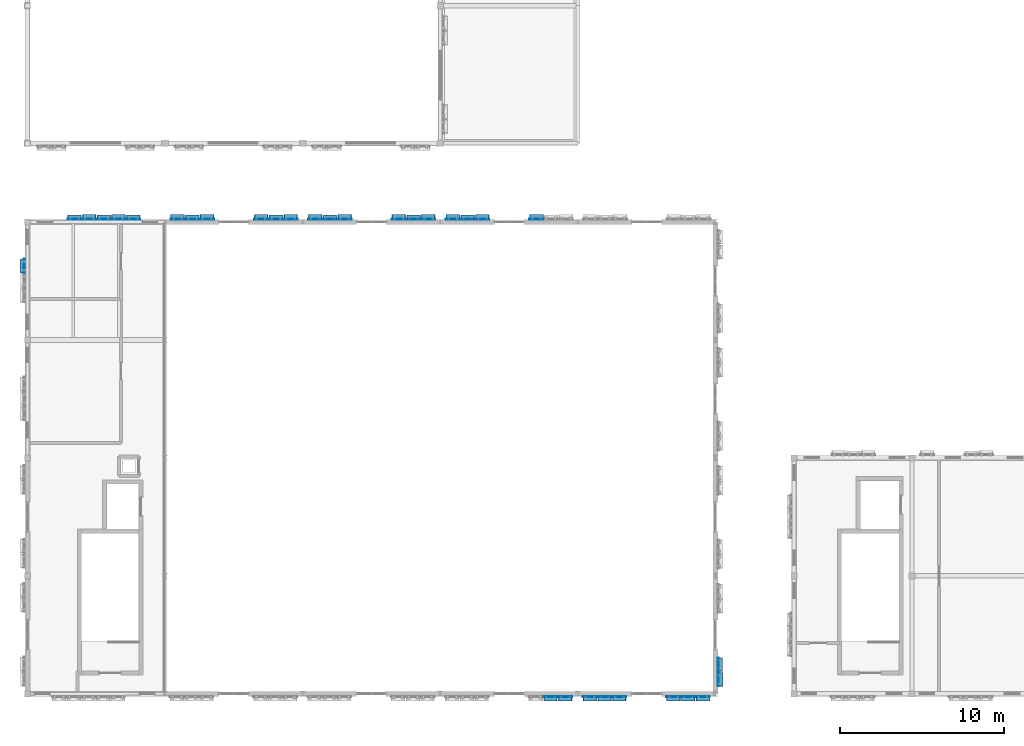
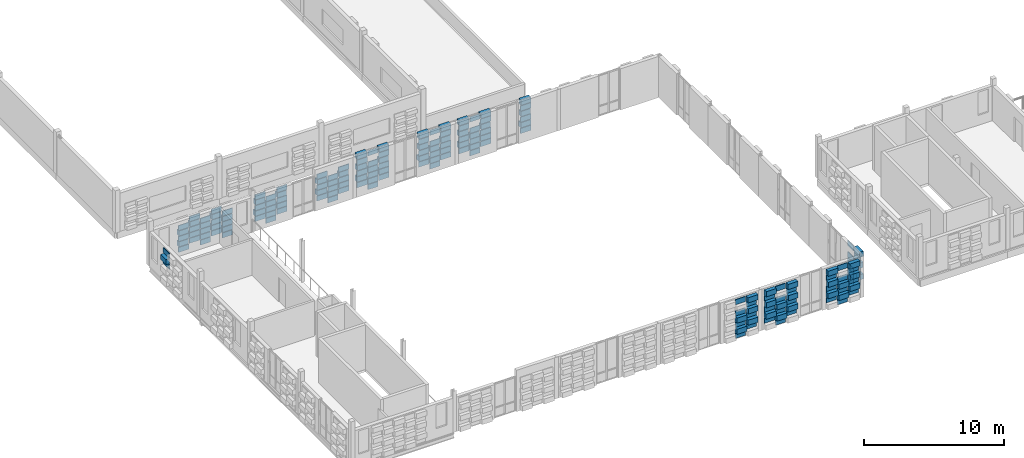
# One storey, part 28 of 57: 178 plates.
"""IFC4 building model written with IfcOpenShell, lengths in metres."""

from ifc_helpers import new_model, si_unit, direction, frame, origin, origin_2d, place, context, subcontext, project, spatial, rectangle, extrude, material, layer, layer_set, type_object, element, save


model = new_model("IFC4")

# Units and contexts
model_context = context("Model", 3, precision=1e-05, world=origin(), true_north=direction((0.0, 1.0)))
body_context = subcontext(model_context, "Body", "Model", "MODEL_VIEW")
ifc_project = project(units=[si_unit("LENGTHUNIT", "METRE"), si_unit("AREAUNIT", "SQUARE_METRE"), si_unit("VOLUMEUNIT", "CUBIC_METRE"), si_unit("PLANEANGLEUNIT", "RADIAN"), si_unit("MASSUNIT", "GRAM", prefix="KILO")], contexts=[model_context])

# Site, building, storey
site_placement = place(None, origin())
site = spatial("IfcSite", under=ifc_project, at=site_placement, CompositionType="ELEMENT")
building_placement = place(site_placement, origin())
building = spatial("IfcBuilding", under=site, at=building_placement, Name="Kahlenmark Community Centre", CompositionType="ELEMENT")
storey_placement = place(building_placement, frame((0.0, 0.0, 13.800048828125)))
storey = spatial("IfcBuildingStorey", under=building, at=storey_placement, Name="L03", CompositionType="ELEMENT", Elevation=13.800048828125)

# Plates
ifc_material_1 = material(Name="Extruded warm terracotta recessed weave tile", Category="masonry")
ifc_layer_1 = layer(ifc_material_1, 0.06005859375)
ifc_layer_set_1 = layer_set([ifc_layer_1], Name="Extruded warm terracotta recessed weave tile")
plate_type_1 = type_object("IfcPlateType", Name="PLT-TC-TC-R10-840X60X435", PredefinedType="SHEET", material=ifc_layer_set_1)
for number, where, z_axis, x_axis, name in (
    (1, (10.469970703125, 37.780029296875, 0.099853515625), (0.0, 0.0, 1.0), (-1.0, 0.0, 0.0), "Basketweave terracotta cassette 3568"),
    (2, (10.469970703125, 37.780029296875, 1.0498046875), (0.0, 0.0, 1.0), (-1.0, 0.0, 0.0), "Basketweave terracotta cassette 3570"),
    (3, (10.469970703125, 37.780029296875, 2.0), (0.0, 0.0, 1.0), (-1.0, 0.0, 0.0), "Basketweave terracotta cassette 3572"),
    (4, (8.669921875, 37.780029296875, 0.099853515625), (0.0, 0.0, 1.0), (-1.0, 0.0, 0.0), "Basketweave terracotta cassette 3580"),
    (5, (8.669921875, 37.780029296875, 1.0498046875), (0.0, 0.0, 1.0), (-1.0, 0.0, 0.0), "Basketweave terracotta cassette 3582"),
    (6, (8.669921875, 37.780029296875, 2.0), (0.0, 0.0, 1.0), (-1.0, 0.0, 0.0), "Basketweave terracotta cassette 3584"),
    (7, (6.8701171875, 37.780029296875, 0.099853515625), (0.0, 0.0, 1.0), (-1.0, 0.0, 0.0), "Basketweave terracotta cassette 3592"),
    (8, (6.8701171875, 37.780029296875, 1.0498046875), (0.0, 0.0, 1.0), (-1.0, 0.0, 0.0), "Basketweave terracotta cassette 3594"),
    (9, (6.8701171875, 37.780029296875, 2.0), (0.0, 0.0, 1.0), (-1.0, 0.0, 0.0), "Basketweave terracotta cassette 3596"),
    (10, (19.169921875, 37.780029296875, 0.099853515625), (0.0, 0.0, 1.0), (-1.0, 0.0, 0.0), "Basketweave terracotta cassette 3604"),
    (11, (19.169921875, 37.780029296875, 1.0498046875), (0.0, 0.0, 1.0), (-1.0, 0.0, 0.0), "Basketweave terracotta cassette 3606"),
    (12, (19.169921875, 37.780029296875, 2.0), (0.0, 0.0, 1.0), (-1.0, 0.0, 0.0), "Basketweave terracotta cassette 3608"),
    (13, (14.070068359375, 37.780029296875, 0.099853515625), (0.0, 0.0, 1.0), (-1.0, 0.0, 0.0), "Basketweave terracotta cassette 3622"),
    (14, (14.070068359375, 37.780029296875, 1.0498046875), (0.0, 0.0, 1.0), (-1.0, 0.0, 0.0), "Basketweave terracotta cassette 3624"),
    (15, (14.070068359375, 37.780029296875, 2.0), (0.0, 0.0, 1.0), (-1.0, 0.0, 0.0), "Basketweave terracotta cassette 3626"),
):
    element("IfcPlate", number, at=place(storey_placement, frame(where, z_axis=z_axis, x_axis=x_axis)), inside=storey, type_object=plate_type_1, Name=name, PredefinedType="SHEET", context=body_context, shape_type="SweptSolid", body=[
        extrude(rectangle(XDim=0.840087890625, YDim=0.06005859375, at=origin_2d()), origin(), (0.0, 0.0, 1.0), 0.43505859375),
    ])
ifc_layer_2 = layer(ifc_material_1, 0.06005859375)
ifc_layer_set_2 = layer_set([ifc_layer_2], Name="Extruded warm terracotta recessed weave tile")
plate_type_2 = type_object("IfcPlateType", Name="PLT-TC-TC-R10-840X60X450", PredefinedType="SHEET", material=ifc_layer_set_2)
for number, where, z_axis, x_axis, name in (
    (16, (35.929931640625, 8.6201171875, 0.10009765625), (0.0, 0.0, 1.0), (1.0, 0.0, 0.0), "Basketweave terracotta cassette 3512"),
    (17, (35.929931640625, 8.6201171875, 1.080078125), (0.0, 0.0, 1.0), (1.0, 0.0, 0.0), "Basketweave terracotta cassette 3514"),
    (18, (35.929931640625, 8.6201171875, 2.06005859375), (0.0, 0.0, 1.0), (1.0, 0.0, 0.0), "Basketweave terracotta cassette 3516"),
    (19, (35.929931640625, 8.6201171875, 3.0400390625), (0.0, 0.0, 1.0), (1.0, 0.0, 0.0), "Basketweave terracotta cassette 3518"),
    (20, (39.22998046875, 8.6201171875, 0.10009765625), (0.0, 0.0, 1.0), (1.0, 0.0, 0.0), "Basketweave terracotta cassette 3533"),
    (21, (39.22998046875, 8.6201171875, 1.080078125), (0.0, 0.0, 1.0), (1.0, 0.0, 0.0), "Basketweave terracotta cassette 3535"),
    (22, (39.22998046875, 8.6201171875, 2.06005859375), (0.0, 0.0, 1.0), (1.0, 0.0, 0.0), "Basketweave terracotta cassette 3537"),
    (23, (39.22998046875, 8.6201171875, 3.0400390625), (0.0, 0.0, 1.0), (1.0, 0.0, 0.0), "Basketweave terracotta cassette 3539"),
    (24, (44.330078125, 8.6201171875, 0.10009765625), (0.0, 0.0, 1.0), (1.0, 0.0, 0.0), "Basketweave terracotta cassette 3554"),
    (25, (44.330078125, 8.6201171875, 1.080078125), (0.0, 0.0, 1.0), (1.0, 0.0, 0.0), "Basketweave terracotta cassette 3556"),
    (26, (44.330078125, 8.6201171875, 2.06005859375), (0.0, 0.0, 1.0), (1.0, 0.0, 0.0), "Basketweave terracotta cassette 3558"),
    (27, (44.330078125, 8.6201171875, 3.0400390625), (0.0, 0.0, 1.0), (1.0, 0.0, 0.0), "Basketweave terracotta cassette 3560"),
    (28, (27.570068359375, 37.780029296875, 0.10009765625), (0.0, 0.0, 1.0), (-1.0, 0.0, 0.0), "Basketweave terracotta cassette 3641"),
    (29, (27.570068359375, 37.780029296875, 1.080078125), (0.0, 0.0, 1.0), (-1.0, 0.0, 0.0), "Basketweave terracotta cassette 3643"),
    (30, (27.570068359375, 37.780029296875, 2.06005859375), (0.0, 0.0, 1.0), (-1.0, 0.0, 0.0), "Basketweave terracotta cassette 3645"),
    (31, (27.570068359375, 37.780029296875, 3.0400390625), (0.0, 0.0, 1.0), (-1.0, 0.0, 0.0), "Basketweave terracotta cassette 3647"),
    (32, (22.469970703125, 37.780029296875, 0.10009765625), (0.0, 0.0, 1.0), (-1.0, 0.0, 0.0), "Basketweave terracotta cassette 3662"),
    (33, (22.469970703125, 37.780029296875, 1.080078125), (0.0, 0.0, 1.0), (-1.0, 0.0, 0.0), "Basketweave terracotta cassette 3664"),
    (34, (22.469970703125, 37.780029296875, 2.06005859375), (0.0, 0.0, 1.0), (-1.0, 0.0, 0.0), "Basketweave terracotta cassette 3666"),
    (35, (22.469970703125, 37.780029296875, 3.0400390625), (0.0, 0.0, 1.0), (-1.0, 0.0, 0.0), "Basketweave terracotta cassette 3668"),
    (36, (30.8701171875, 37.780029296875, 0.10009765625), (0.0, 0.0, 1.0), (-1.0, 0.0, 0.0), "Basketweave terracotta cassette 3704"),
    (37, (30.8701171875, 37.780029296875, 1.080078125), (0.0, 0.0, 1.0), (-1.0, 0.0, 0.0), "Basketweave terracotta cassette 3706"),
    (38, (30.8701171875, 37.780029296875, 2.06005859375), (0.0, 0.0, 1.0), (-1.0, 0.0, 0.0), "Basketweave terracotta cassette 3708"),
    (39, (30.8701171875, 37.780029296875, 3.0400390625), (0.0, 0.0, 1.0), (-1.0, 0.0, 0.0), "Basketweave terracotta cassette 3710"),
    (40, (46.179931640625, 10.580078125, 0.10009765625), (0.0, 0.0, 1.0), (0.0, 1.0, 0.0), "Basketweave terracotta cassette 3851"),
    (41, (46.179931640625, 10.580078125, 1.080078125), (0.0, 0.0, 1.0), (0.0, 1.0, 0.0), "Basketweave terracotta cassette 3853"),
    (42, (46.179931640625, 10.580078125, 2.06005859375), (0.0, 0.0, 1.0), (0.0, 1.0, 0.0), "Basketweave terracotta cassette 3855"),
    (43, (46.179931640625, 10.580078125, 3.0400390625), (0.0, 0.0, 1.0), (0.0, 1.0, 0.0), "Basketweave terracotta cassette 3857"),
):
    element("IfcPlate", number, at=place(storey_placement, frame(where, z_axis=z_axis, x_axis=x_axis)), inside=storey, type_object=plate_type_2, Name=name, PredefinedType="SHEET", context=body_context, shape_type="SweptSolid", body=[
        extrude(rectangle(XDim=0.840087890625, YDim=0.06005859375, at=origin_2d()), origin(), (0.0, 0.0, 1.0), 0.449951171875),
    ])
ifc_layer_3 = layer(ifc_material_1, 0.06005859375)
ifc_layer_set_3 = layer_set([ifc_layer_3], Name="Extruded warm terracotta recessed weave tile")
plate_type_3 = type_object("IfcPlateType", Name="PLT-TC-TC-R10-860X60X435", PredefinedType="SHEET", material=ifc_layer_set_3)
for number, where, z_axis, x_axis, name in (
    (44, (9.570068359375, 37.780029296875, 0.574951171875), (0.0, 0.0, 1.0), (-1.0, 0.0, 0.0), "Basketweave terracotta cassette 3575"),
    (45, (9.570068359375, 37.780029296875, 1.52490234375), (0.0, 0.0, 1.0), (-1.0, 0.0, 0.0), "Basketweave terracotta cassette 3577"),
    (46, (9.570068359375, 37.780029296875, 2.474853515625), (0.0, 0.0, 1.0), (-1.0, 0.0, 0.0), "Basketweave terracotta cassette 3579"),
    (47, (7.77001953125, 37.780029296875, 0.574951171875), (0.0, 0.0, 1.0), (-1.0, 0.0, 0.0), "Basketweave terracotta cassette 3587"),
    (48, (7.77001953125, 37.780029296875, 1.52490234375), (0.0, 0.0, 1.0), (-1.0, 0.0, 0.0), "Basketweave terracotta cassette 3589"),
    (49, (7.77001953125, 37.780029296875, 2.474853515625), (0.0, 0.0, 1.0), (-1.0, 0.0, 0.0), "Basketweave terracotta cassette 3591"),
    (50, (20.070068359375, 37.780029296875, 0.574951171875), (0.0, 0.0, 1.0), (-1.0, 0.0, 0.0), "Basketweave terracotta cassette 3599"),
    (51, (20.070068359375, 37.780029296875, 1.52490234375), (0.0, 0.0, 1.0), (-1.0, 0.0, 0.0), "Basketweave terracotta cassette 3601"),
    (52, (20.070068359375, 37.780029296875, 2.474853515625), (0.0, 0.0, 1.0), (-1.0, 0.0, 0.0), "Basketweave terracotta cassette 3603"),
    (53, (18.27001953125, 37.780029296875, 0.574951171875), (0.0, 0.0, 1.0), (-1.0, 0.0, 0.0), "Basketweave terracotta cassette 3611"),
    (54, (18.27001953125, 37.780029296875, 1.52490234375), (0.0, 0.0, 1.0), (-1.0, 0.0, 0.0), "Basketweave terracotta cassette 3613"),
    (55, (18.27001953125, 37.780029296875, 2.474853515625), (0.0, 0.0, 1.0), (-1.0, 0.0, 0.0), "Basketweave terracotta cassette 3615"),
    (56, (14.969970703125, 37.780029296875, 0.574951171875), (0.0, 0.0, 1.0), (-1.0, 0.0, 0.0), "Basketweave terracotta cassette 3617"),
    (57, (14.969970703125, 37.780029296875, 1.52490234375), (0.0, 0.0, 1.0), (-1.0, 0.0, 0.0), "Basketweave terracotta cassette 3619"),
    (58, (14.969970703125, 37.780029296875, 2.474853515625), (0.0, 0.0, 1.0), (-1.0, 0.0, 0.0), "Basketweave terracotta cassette 3621"),
    (59, (13.169921875, 37.780029296875, 0.574951171875), (0.0, 0.0, 1.0), (-1.0, 0.0, 0.0), "Basketweave terracotta cassette 3629"),
    (60, (13.169921875, 37.780029296875, 1.52490234375), (0.0, 0.0, 1.0), (-1.0, 0.0, 0.0), "Basketweave terracotta cassette 3631"),
    (61, (13.169921875, 37.780029296875, 2.474853515625), (0.0, 0.0, 1.0), (-1.0, 0.0, 0.0), "Basketweave terracotta cassette 3633"),
    (62, (3.820068359375, 34.919921875, 1.52490234375), (0.0, 0.0, 1.0), (0.0, -1.0, 0.0), "Basketweave terracotta cassette 3829"),
    (63, (3.820068359375, 34.919921875, 2.474853515625), (0.0, 0.0, 1.0), (0.0, -1.0, 0.0), "Basketweave terracotta cassette 3831"),
):
    element("IfcPlate", number, at=place(storey_placement, frame(where, z_axis=z_axis, x_axis=x_axis)), inside=storey, type_object=plate_type_3, Name=name, PredefinedType="SHEET", context=body_context, shape_type="SweptSolid", body=[
        extrude(rectangle(XDim=0.860107421875, YDim=0.06005859375, at=origin_2d()), origin(), (0.0, 0.0, 1.0), 0.43505859375),
    ])
ifc_layer_4 = layer(ifc_material_1, 0.06005859375)
ifc_layer_set_4 = layer_set([ifc_layer_4], Name="Extruded warm terracotta recessed weave tile")
plate_type_4 = type_object("IfcPlateType", Name="PLT-TC-TC-R10-860X60X450", PredefinedType="SHEET", material=ifc_layer_set_4)
for number, where, z_axis, x_axis, name in (
    (64, (36.830078125, 8.6201171875, 0.58984375), (0.0, 0.0, 1.0), (1.0, 0.0, 0.0), "Basketweave terracotta cassette 3520"),
    (65, (36.830078125, 8.6201171875, 1.56982421875), (0.0, 0.0, 1.0), (1.0, 0.0, 0.0), "Basketweave terracotta cassette 3522"),
    (66, (36.830078125, 8.6201171875, 2.5498046875), (0.0, 0.0, 1.0), (1.0, 0.0, 0.0), "Basketweave terracotta cassette 3524"),
    (67, (38.330078125, 8.6201171875, 0.58984375), (0.0, 0.0, 1.0), (1.0, 0.0, 0.0), "Basketweave terracotta cassette 3527"),
    (68, (38.330078125, 8.6201171875, 1.56982421875), (0.0, 0.0, 1.0), (1.0, 0.0, 0.0), "Basketweave terracotta cassette 3529"),
    (69, (38.330078125, 8.6201171875, 2.5498046875), (0.0, 0.0, 1.0), (1.0, 0.0, 0.0), "Basketweave terracotta cassette 3531"),
    (70, (40.1298828125, 8.6201171875, 0.58984375), (0.0, 0.0, 1.0), (1.0, 0.0, 0.0), "Basketweave terracotta cassette 3541"),
    (71, (40.1298828125, 8.6201171875, 1.56982421875), (0.0, 0.0, 1.0), (1.0, 0.0, 0.0), "Basketweave terracotta cassette 3543"),
    (72, (40.1298828125, 8.6201171875, 2.5498046875), (0.0, 0.0, 1.0), (1.0, 0.0, 0.0), "Basketweave terracotta cassette 3545"),
    (73, (43.429931640625, 8.6201171875, 0.58984375), (0.0, 0.0, 1.0), (1.0, 0.0, 0.0), "Basketweave terracotta cassette 3548"),
    (74, (43.429931640625, 8.6201171875, 1.56982421875), (0.0, 0.0, 1.0), (1.0, 0.0, 0.0), "Basketweave terracotta cassette 3550"),
    (75, (43.429931640625, 8.6201171875, 2.5498046875), (0.0, 0.0, 1.0), (1.0, 0.0, 0.0), "Basketweave terracotta cassette 3552"),
    (76, (45.22998046875, 8.6201171875, 0.58984375), (0.0, 0.0, 1.0), (1.0, 0.0, 0.0), "Basketweave terracotta cassette 3562"),
    (77, (45.22998046875, 8.6201171875, 1.56982421875), (0.0, 0.0, 1.0), (1.0, 0.0, 0.0), "Basketweave terracotta cassette 3564"),
    (78, (45.22998046875, 8.6201171875, 2.5498046875), (0.0, 0.0, 1.0), (1.0, 0.0, 0.0), "Basketweave terracotta cassette 3566"),
    (79, (28.469970703125, 37.780029296875, 0.58984375), (0.0, 0.0, 1.0), (-1.0, 0.0, 0.0), "Basketweave terracotta cassette 3635"),
    (80, (28.469970703125, 37.780029296875, 1.56982421875), (0.0, 0.0, 1.0), (-1.0, 0.0, 0.0), "Basketweave terracotta cassette 3637"),
    (81, (28.469970703125, 37.780029296875, 2.5498046875), (0.0, 0.0, 1.0), (-1.0, 0.0, 0.0), "Basketweave terracotta cassette 3639"),
    (82, (26.669921875, 37.780029296875, 0.58984375), (0.0, 0.0, 1.0), (-1.0, 0.0, 0.0), "Basketweave terracotta cassette 3649"),
    (83, (26.669921875, 37.780029296875, 1.56982421875), (0.0, 0.0, 1.0), (-1.0, 0.0, 0.0), "Basketweave terracotta cassette 3651"),
    (84, (26.669921875, 37.780029296875, 2.5498046875), (0.0, 0.0, 1.0), (-1.0, 0.0, 0.0), "Basketweave terracotta cassette 3653"),
    (85, (23.3701171875, 37.780029296875, 0.58984375), (0.0, 0.0, 1.0), (-1.0, 0.0, 0.0), "Basketweave terracotta cassette 3656"),
    (86, (23.3701171875, 37.780029296875, 1.56982421875), (0.0, 0.0, 1.0), (-1.0, 0.0, 0.0), "Basketweave terracotta cassette 3658"),
    (87, (23.3701171875, 37.780029296875, 2.5498046875), (0.0, 0.0, 1.0), (-1.0, 0.0, 0.0), "Basketweave terracotta cassette 3660"),
    (88, (21.570068359375, 37.780029296875, 0.58984375), (0.0, 0.0, 1.0), (-1.0, 0.0, 0.0), "Basketweave terracotta cassette 3670"),
    (89, (21.570068359375, 37.780029296875, 1.56982421875), (0.0, 0.0, 1.0), (-1.0, 0.0, 0.0), "Basketweave terracotta cassette 3672"),
    (90, (21.570068359375, 37.780029296875, 2.5498046875), (0.0, 0.0, 1.0), (-1.0, 0.0, 0.0), "Basketweave terracotta cassette 3674"),
    (91, (35.070068359375, 37.780029296875, 0.58984375), (0.0, 0.0, 1.0), (-1.0, 0.0, 0.0), "Basketweave terracotta cassette 3691"),
    (92, (35.070068359375, 37.780029296875, 1.56982421875), (0.0, 0.0, 1.0), (-1.0, 0.0, 0.0), "Basketweave terracotta cassette 3693"),
    (93, (35.070068359375, 37.780029296875, 2.5498046875), (0.0, 0.0, 1.0), (-1.0, 0.0, 0.0), "Basketweave terracotta cassette 3695"),
    (94, (31.77001953125, 37.780029296875, 0.58984375), (0.0, 0.0, 1.0), (-1.0, 0.0, 0.0), "Basketweave terracotta cassette 3698"),
    (95, (31.77001953125, 37.780029296875, 1.56982421875), (0.0, 0.0, 1.0), (-1.0, 0.0, 0.0), "Basketweave terracotta cassette 3700"),
    (96, (31.77001953125, 37.780029296875, 2.5498046875), (0.0, 0.0, 1.0), (-1.0, 0.0, 0.0), "Basketweave terracotta cassette 3702"),
    (97, (29.969970703125, 37.780029296875, 0.58984375), (0.0, 0.0, 1.0), (-1.0, 0.0, 0.0), "Basketweave terracotta cassette 3712"),
    (98, (29.969970703125, 37.780029296875, 1.56982421875), (0.0, 0.0, 1.0), (-1.0, 0.0, 0.0), "Basketweave terracotta cassette 3714"),
    (99, (29.969970703125, 37.780029296875, 2.5498046875), (0.0, 0.0, 1.0), (-1.0, 0.0, 0.0), "Basketweave terracotta cassette 3716"),
    (100, (46.179931640625, 9.679931640625, 0.58984375), (0.0, 0.0, 1.0), (0.0, 1.0, 0.0), "Basketweave terracotta cassette 3845"),
    (101, (46.179931640625, 9.679931640625, 1.56982421875), (0.0, 0.0, 1.0), (0.0, 1.0, 0.0), "Basketweave terracotta cassette 3847"),
    (102, (46.179931640625, 9.679931640625, 2.5498046875), (0.0, 0.0, 1.0), (0.0, 1.0, 0.0), "Basketweave terracotta cassette 3849"),
):
    element("IfcPlate", number, at=place(storey_placement, frame(where, z_axis=z_axis, x_axis=x_axis)), inside=storey, type_object=plate_type_4, Name=name, PredefinedType="SHEET", context=body_context, shape_type="SweptSolid", body=[
        extrude(rectangle(XDim=0.860107421875, YDim=0.06005859375, at=origin_2d()), origin(), (0.0, 0.0, 1.0), 0.449951171875),
    ])
ifc_material_2 = material(Name="Extruded glazed terracotta weave cassette", Category="masonry")
ifc_layer_5 = layer(ifc_material_2, 0.300048828125)
ifc_layer_set_5 = layer_set([ifc_layer_5], Name="Extruded glazed terracotta weave cassette")
plate_type_5 = type_object("IfcPlateType", Name="PLT-TC-TC-R34-780X300X435", PredefinedType="SHEET", material=ifc_layer_set_5)
for number, where, z_axis, x_axis, name in (
    (103, (9.570068359375, 37.89990234375, 2.0), (0.0, 0.0, 1.0), (-1.0, 0.0, 0.0), "Basketweave terracotta cassette 3578"),
    (104, (7.77001953125, 37.89990234375, 2.0), (0.0, 0.0, 1.0), (-1.0, 0.0, 0.0), "Basketweave terracotta cassette 3590"),
    (105, (20.070068359375, 37.89990234375, 2.0), (0.0, 0.0, 1.0), (-1.0, 0.0, 0.0), "Basketweave terracotta cassette 3602"),
    (106, (18.27001953125, 37.89990234375, 2.0), (0.0, 0.0, 1.0), (-1.0, 0.0, 0.0), "Basketweave terracotta cassette 3614"),
    (107, (14.969970703125, 37.89990234375, 2.0), (0.0, 0.0, 1.0), (-1.0, 0.0, 0.0), "Basketweave terracotta cassette 3620"),
    (108, (13.169921875, 37.89990234375, 2.0), (0.0, 0.0, 1.0), (-1.0, 0.0, 0.0), "Basketweave terracotta cassette 3632"),
    (109, (3.699951171875, 34.919921875, 2.0), (0.0, 0.0, 1.0), (0.0, -1.0, 0.0), "Basketweave terracotta cassette 3830"),
):
    element("IfcPlate", number, at=place(storey_placement, frame(where, z_axis=z_axis, x_axis=x_axis)), inside=storey, type_object=plate_type_5, Name=name, PredefinedType="SHEET", context=body_context, shape_type="SweptSolid", body=[
        extrude(rectangle(XDim=0.780029296875, YDim=0.300048828125, at=origin_2d()), origin(), (0.0, 0.0, 1.0), 0.43505859375),
    ])
ifc_layer_6 = layer(ifc_material_2, 0.300048828125)
ifc_layer_set_6 = layer_set([ifc_layer_6], Name="Extruded glazed terracotta weave cassette")
plate_type_6 = type_object("IfcPlateType", Name="PLT-TC-TC-R34-780X300X450", PredefinedType="SHEET", material=ifc_layer_set_6)
for number, where, z_axis, x_axis, name in (
    (110, (36.830078125, 8.5, 2.06005859375), (0.0, 0.0, 1.0), (1.0, 0.0, 0.0), "Basketweave terracotta cassette 3523"),
    (111, (38.330078125, 8.5, 2.06005859375), (0.0, 0.0, 1.0), (1.0, 0.0, 0.0), "Basketweave terracotta cassette 3530"),
    (112, (40.1298828125, 8.5, 2.06005859375), (0.0, 0.0, 1.0), (1.0, 0.0, 0.0), "Basketweave terracotta cassette 3544"),
    (113, (43.429931640625, 8.5, 2.06005859375), (0.0, 0.0, 1.0), (1.0, 0.0, 0.0), "Basketweave terracotta cassette 3551"),
    (114, (45.22998046875, 8.5, 2.06005859375), (0.0, 0.0, 1.0), (1.0, 0.0, 0.0), "Basketweave terracotta cassette 3565"),
    (115, (28.469970703125, 37.89990234375, 2.06005859375), (0.0, 0.0, 1.0), (-1.0, 0.0, 0.0), "Basketweave terracotta cassette 3638"),
    (116, (26.669921875, 37.89990234375, 2.06005859375), (0.0, 0.0, 1.0), (-1.0, 0.0, 0.0), "Basketweave terracotta cassette 3652"),
    (117, (23.3701171875, 37.89990234375, 2.06005859375), (0.0, 0.0, 1.0), (-1.0, 0.0, 0.0), "Basketweave terracotta cassette 3659"),
    (118, (21.570068359375, 37.89990234375, 2.06005859375), (0.0, 0.0, 1.0), (-1.0, 0.0, 0.0), "Basketweave terracotta cassette 3673"),
    (119, (35.070068359375, 37.89990234375, 2.06005859375), (0.0, 0.0, 1.0), (-1.0, 0.0, 0.0), "Basketweave terracotta cassette 3694"),
    (120, (31.77001953125, 37.89990234375, 2.06005859375), (0.0, 0.0, 1.0), (-1.0, 0.0, 0.0), "Basketweave terracotta cassette 3701"),
    (121, (29.969970703125, 37.89990234375, 2.06005859375), (0.0, 0.0, 1.0), (-1.0, 0.0, 0.0), "Basketweave terracotta cassette 3715"),
    (122, (46.300048828125, 9.679931640625, 2.06005859375), (0.0, 0.0, 1.0), (0.0, 1.0, 0.0), "Basketweave terracotta cassette 3848"),
):
    element("IfcPlate", number, at=place(storey_placement, frame(where, z_axis=z_axis, x_axis=x_axis)), inside=storey, type_object=plate_type_6, Name=name, PredefinedType="SHEET", context=body_context, shape_type="SweptSolid", body=[
        extrude(rectangle(XDim=0.780029296875, YDim=0.300048828125, at=origin_2d()), origin(), (0.0, 0.0, 1.0), 0.449951171875),
    ])
ifc_layer_7 = layer(ifc_material_2, 0.300048828125)
ifc_layer_set_7 = layer_set([ifc_layer_7], Name="Extruded glazed terracotta weave cassette")
plate_type_7 = type_object("IfcPlateType", Name="PLT-TC-TC-R34-820X300X450", PredefinedType="SHEET", material=ifc_layer_set_7)
for number, where, z_axis, x_axis, name in (
    (123, (36.830078125, 8.5, 3.0400390625), (0.0, 0.0, 1.0), (1.0, 0.0, 0.0), "Basketweave terracotta cassette 3525"),
    (124, (38.330078125, 8.5, 3.0400390625), (0.0, 0.0, 1.0), (1.0, 0.0, 0.0), "Basketweave terracotta cassette 3532"),
    (125, (40.1298828125, 8.5, 3.0400390625), (0.0, 0.0, 1.0), (1.0, 0.0, 0.0), "Basketweave terracotta cassette 3546"),
    (126, (43.429931640625, 8.5, 3.0400390625), (0.0, 0.0, 1.0), (1.0, 0.0, 0.0), "Basketweave terracotta cassette 3553"),
    (127, (45.22998046875, 8.5, 3.0400390625), (0.0, 0.0, 1.0), (1.0, 0.0, 0.0), "Basketweave terracotta cassette 3567"),
    (128, (28.469970703125, 37.89990234375, 3.0400390625), (0.0, 0.0, 1.0), (-1.0, 0.0, 0.0), "Basketweave terracotta cassette 3640"),
    (129, (26.669921875, 37.89990234375, 3.0400390625), (0.0, 0.0, 1.0), (-1.0, 0.0, 0.0), "Basketweave terracotta cassette 3654"),
    (130, (23.3701171875, 37.89990234375, 3.0400390625), (0.0, 0.0, 1.0), (-1.0, 0.0, 0.0), "Basketweave terracotta cassette 3661"),
    (131, (21.570068359375, 37.89990234375, 3.0400390625), (0.0, 0.0, 1.0), (-1.0, 0.0, 0.0), "Basketweave terracotta cassette 3675"),
    (132, (35.070068359375, 37.89990234375, 3.0400390625), (0.0, 0.0, 1.0), (-1.0, 0.0, 0.0), "Basketweave terracotta cassette 3696"),
    (133, (31.77001953125, 37.89990234375, 3.0400390625), (0.0, 0.0, 1.0), (-1.0, 0.0, 0.0), "Basketweave terracotta cassette 3703"),
    (134, (29.969970703125, 37.89990234375, 3.0400390625), (0.0, 0.0, 1.0), (-1.0, 0.0, 0.0), "Basketweave terracotta cassette 3717"),
    (135, (46.300048828125, 9.679931640625, 3.0400390625), (0.0, 0.0, 1.0), (0.0, 1.0, 0.0), "Basketweave terracotta cassette 3850"),
):
    element("IfcPlate", number, at=place(storey_placement, frame(where, z_axis=z_axis, x_axis=x_axis)), inside=storey, type_object=plate_type_7, Name=name, PredefinedType="SHEET", context=body_context, shape_type="SweptSolid", body=[
        extrude(rectangle(XDim=0.820068359375, YDim=0.300048828125, at=origin_2d()), origin(), (0.0, 0.0, 1.0), 0.449951171875),
    ])
ifc_layer_8 = layer(ifc_material_2, 0.300048828125)
ifc_layer_set_8 = layer_set([ifc_layer_8], Name="Extruded glazed terracotta weave cassette")
plate_type_8 = type_object("IfcPlateType", Name="PLT-TC-TC-R34-840X300X435", PredefinedType="SHEET", material=ifc_layer_set_8)
for number, where, z_axis, x_axis, name in (
    (136, (9.570068359375, 37.89990234375, 1.0498046875), (0.0, 0.0, 1.0), (-1.0, 0.0, 0.0), "Basketweave terracotta cassette 3576"),
    (137, (7.77001953125, 37.89990234375, 1.0498046875), (0.0, 0.0, 1.0), (-1.0, 0.0, 0.0), "Basketweave terracotta cassette 3588"),
    (138, (20.070068359375, 37.89990234375, 1.0498046875), (0.0, 0.0, 1.0), (-1.0, 0.0, 0.0), "Basketweave terracotta cassette 3600"),
    (139, (18.27001953125, 37.89990234375, 1.0498046875), (0.0, 0.0, 1.0), (-1.0, 0.0, 0.0), "Basketweave terracotta cassette 3612"),
    (140, (14.969970703125, 37.89990234375, 1.0498046875), (0.0, 0.0, 1.0), (-1.0, 0.0, 0.0), "Basketweave terracotta cassette 3618"),
    (141, (13.169921875, 37.89990234375, 1.0498046875), (0.0, 0.0, 1.0), (-1.0, 0.0, 0.0), "Basketweave terracotta cassette 3630"),
):
    element("IfcPlate", number, at=place(storey_placement, frame(where, z_axis=z_axis, x_axis=x_axis)), inside=storey, type_object=plate_type_8, Name=name, PredefinedType="SHEET", context=body_context, shape_type="SweptSolid", body=[
        extrude(rectangle(XDim=0.840087890625, YDim=0.300048828125, at=origin_2d()), origin(), (0.0, 0.0, 1.0), 0.43505859375),
    ])
ifc_layer_9 = layer(ifc_material_2, 0.300048828125)
ifc_layer_set_9 = layer_set([ifc_layer_9], Name="Extruded glazed terracotta weave cassette")
plate_type_9 = type_object("IfcPlateType", Name="PLT-TC-TC-R34-840X300X450", PredefinedType="SHEET", material=ifc_layer_set_9)
for number, where, z_axis, x_axis, name in (
    (142, (36.830078125, 8.5, 1.080078125), (0.0, 0.0, 1.0), (1.0, 0.0, 0.0), "Basketweave terracotta cassette 3521"),
    (143, (38.330078125, 8.5, 1.080078125), (0.0, 0.0, 1.0), (1.0, 0.0, 0.0), "Basketweave terracotta cassette 3528"),
    (144, (40.1298828125, 8.5, 1.080078125), (0.0, 0.0, 1.0), (1.0, 0.0, 0.0), "Basketweave terracotta cassette 3542"),
    (145, (43.429931640625, 8.5, 1.080078125), (0.0, 0.0, 1.0), (1.0, 0.0, 0.0), "Basketweave terracotta cassette 3549"),
    (146, (45.22998046875, 8.5, 1.080078125), (0.0, 0.0, 1.0), (1.0, 0.0, 0.0), "Basketweave terracotta cassette 3563"),
    (147, (28.469970703125, 37.89990234375, 1.080078125), (0.0, 0.0, 1.0), (-1.0, 0.0, 0.0), "Basketweave terracotta cassette 3636"),
    (148, (26.669921875, 37.89990234375, 1.080078125), (0.0, 0.0, 1.0), (-1.0, 0.0, 0.0), "Basketweave terracotta cassette 3650"),
    (149, (23.3701171875, 37.89990234375, 1.080078125), (0.0, 0.0, 1.0), (-1.0, 0.0, 0.0), "Basketweave terracotta cassette 3657"),
    (150, (21.570068359375, 37.89990234375, 1.080078125), (0.0, 0.0, 1.0), (-1.0, 0.0, 0.0), "Basketweave terracotta cassette 3671"),
    (151, (35.070068359375, 37.89990234375, 1.080078125), (0.0, 0.0, 1.0), (-1.0, 0.0, 0.0), "Basketweave terracotta cassette 3692"),
    (152, (31.77001953125, 37.89990234375, 1.080078125), (0.0, 0.0, 1.0), (-1.0, 0.0, 0.0), "Basketweave terracotta cassette 3699"),
    (153, (29.969970703125, 37.89990234375, 1.080078125), (0.0, 0.0, 1.0), (-1.0, 0.0, 0.0), "Basketweave terracotta cassette 3713"),
    (154, (46.300048828125, 9.679931640625, 1.080078125), (0.0, 0.0, 1.0), (0.0, 1.0, 0.0), "Basketweave terracotta cassette 3846"),
):
    element("IfcPlate", number, at=place(storey_placement, frame(where, z_axis=z_axis, x_axis=x_axis)), inside=storey, type_object=plate_type_9, Name=name, PredefinedType="SHEET", context=body_context, shape_type="SweptSolid", body=[
        extrude(rectangle(XDim=0.840087890625, YDim=0.300048828125, at=origin_2d()), origin(), (0.0, 0.0, 1.0), 0.449951171875),
    ])
ifc_layer_10 = layer(ifc_material_2, 0.280029296875)
ifc_layer_set_10 = layer_set([ifc_layer_10], Name="Extruded glazed terracotta weave cassette")
plate_type_10 = type_object("IfcPlateType", Name="PLT-TC-TC-W30-800X280X435", PredefinedType="SHEET", material=ifc_layer_set_10)
for number, where, z_axis, x_axis, name in (
    (155, (10.469970703125, 37.889892578125, 1.52490234375), (0.0, 0.0, 1.0), (-1.0, 0.0, 0.0), "Basketweave terracotta cassette 3571"),
    (156, (8.669921875, 37.889892578125, 1.52490234375), (0.0, 0.0, 1.0), (-1.0, 0.0, 0.0), "Basketweave terracotta cassette 3583"),
    (157, (6.8701171875, 37.889892578125, 1.52490234375), (0.0, 0.0, 1.0), (-1.0, 0.0, 0.0), "Basketweave terracotta cassette 3595"),
    (158, (19.169921875, 37.889892578125, 1.52490234375), (0.0, 0.0, 1.0), (-1.0, 0.0, 0.0), "Basketweave terracotta cassette 3607"),
    (159, (14.070068359375, 37.889892578125, 1.52490234375), (0.0, 0.0, 1.0), (-1.0, 0.0, 0.0), "Basketweave terracotta cassette 3625"),
):
    element("IfcPlate", number, at=place(storey_placement, frame(where, z_axis=z_axis, x_axis=x_axis)), inside=storey, type_object=plate_type_10, Name=name, PredefinedType="SHEET", context=body_context, shape_type="SweptSolid", body=[
        extrude(rectangle(XDim=0.800048828125, YDim=0.280029296875, at=origin_2d()), origin(), (0.0, 0.0, 1.0), 0.43505859375),
    ])
ifc_layer_11 = layer(ifc_material_2, 0.280029296875)
ifc_layer_set_11 = layer_set([ifc_layer_11], Name="Extruded glazed terracotta weave cassette")
plate_type_11 = type_object("IfcPlateType", Name="PLT-TC-TC-W30-800X280X450", PredefinedType="SHEET", material=ifc_layer_set_11)
for number, where, z_axis, x_axis, name in (
    (160, (35.929931640625, 8.510009765625, 1.56982421875), (0.0, 0.0, 1.0), (1.0, 0.0, 0.0), "Basketweave terracotta cassette 3515"),
    (161, (39.22998046875, 8.510009765625, 1.56982421875), (0.0, 0.0, 1.0), (1.0, 0.0, 0.0), "Basketweave terracotta cassette 3536"),
    (162, (44.330078125, 8.510009765625, 1.56982421875), (0.0, 0.0, 1.0), (1.0, 0.0, 0.0), "Basketweave terracotta cassette 3557"),
    (163, (27.570068359375, 37.889892578125, 1.56982421875), (0.0, 0.0, 1.0), (-1.0, 0.0, 0.0), "Basketweave terracotta cassette 3644"),
    (164, (22.469970703125, 37.889892578125, 1.56982421875), (0.0, 0.0, 1.0), (-1.0, 0.0, 0.0), "Basketweave terracotta cassette 3665"),
    (165, (30.8701171875, 37.889892578125, 1.56982421875), (0.0, 0.0, 1.0), (-1.0, 0.0, 0.0), "Basketweave terracotta cassette 3707"),
    (166, (46.2900390625, 10.580078125, 1.56982421875), (0.0, 0.0, 1.0), (0.0, 1.0, 0.0), "Basketweave terracotta cassette 3854"),
):
    element("IfcPlate", number, at=place(storey_placement, frame(where, z_axis=z_axis, x_axis=x_axis)), inside=storey, type_object=plate_type_11, Name=name, PredefinedType="SHEET", context=body_context, shape_type="SweptSolid", body=[
        extrude(rectangle(XDim=0.800048828125, YDim=0.280029296875, at=origin_2d()), origin(), (0.0, 0.0, 1.0), 0.449951171875),
    ])
ifc_layer_12 = layer(ifc_material_2, 0.280029296875)
ifc_layer_set_12 = layer_set([ifc_layer_12], Name="Extruded glazed terracotta weave cassette")
plate_type_12 = type_object("IfcPlateType", Name="PLT-TC-TC-W30-820X280X435", PredefinedType="SHEET", material=ifc_layer_set_12)
for number, where, z_axis, x_axis, name in (
    (167, (10.469970703125, 37.889892578125, 0.574951171875), (0.0, 0.0, 1.0), (-1.0, 0.0, 0.0), "Basketweave terracotta cassette 3569"),
    (168, (8.669921875, 37.889892578125, 0.574951171875), (0.0, 0.0, 1.0), (-1.0, 0.0, 0.0), "Basketweave terracotta cassette 3581"),
    (169, (6.8701171875, 37.889892578125, 0.574951171875), (0.0, 0.0, 1.0), (-1.0, 0.0, 0.0), "Basketweave terracotta cassette 3593"),
    (170, (19.169921875, 37.889892578125, 0.574951171875), (0.0, 0.0, 1.0), (-1.0, 0.0, 0.0), "Basketweave terracotta cassette 3605"),
    (171, (14.070068359375, 37.889892578125, 0.574951171875), (0.0, 0.0, 1.0), (-1.0, 0.0, 0.0), "Basketweave terracotta cassette 3623"),
):
    element("IfcPlate", number, at=place(storey_placement, frame(where, z_axis=z_axis, x_axis=x_axis)), inside=storey, type_object=plate_type_12, Name=name, PredefinedType="SHEET", context=body_context, shape_type="SweptSolid", body=[
        extrude(rectangle(XDim=0.820068359375, YDim=0.280029296875, at=origin_2d()), origin(), (0.0, 0.0, 1.0), 0.43505859375),
    ])
ifc_layer_13 = layer(ifc_material_2, 0.280029296875)
ifc_layer_set_13 = layer_set([ifc_layer_13], Name="Extruded glazed terracotta weave cassette")
plate_type_13 = type_object("IfcPlateType", Name="PLT-TC-TC-W30-820X280X450", PredefinedType="SHEET", material=ifc_layer_set_13)
for number, where, z_axis, x_axis, name in (
    (172, (35.929931640625, 8.510009765625, 0.58984375), (0.0, 0.0, 1.0), (1.0, 0.0, 0.0), "Basketweave terracotta cassette 3513"),
    (173, (39.22998046875, 8.510009765625, 0.58984375), (0.0, 0.0, 1.0), (1.0, 0.0, 0.0), "Basketweave terracotta cassette 3534"),
    (174, (44.330078125, 8.510009765625, 0.58984375), (0.0, 0.0, 1.0), (1.0, 0.0, 0.0), "Basketweave terracotta cassette 3555"),
    (175, (27.570068359375, 37.889892578125, 0.58984375), (0.0, 0.0, 1.0), (-1.0, 0.0, 0.0), "Basketweave terracotta cassette 3642"),
    (176, (22.469970703125, 37.889892578125, 0.58984375), (0.0, 0.0, 1.0), (-1.0, 0.0, 0.0), "Basketweave terracotta cassette 3663"),
    (177, (30.8701171875, 37.889892578125, 0.58984375), (0.0, 0.0, 1.0), (-1.0, 0.0, 0.0), "Basketweave terracotta cassette 3705"),
    (178, (46.2900390625, 10.580078125, 0.58984375), (0.0, 0.0, 1.0), (0.0, 1.0, 0.0), "Basketweave terracotta cassette 3852"),
):
    element("IfcPlate", number, at=place(storey_placement, frame(where, z_axis=z_axis, x_axis=x_axis)), inside=storey, type_object=plate_type_13, Name=name, PredefinedType="SHEET", context=body_context, shape_type="SweptSolid", body=[
        extrude(rectangle(XDim=0.820068359375, YDim=0.280029296875, at=origin_2d()), origin(), (0.0, 0.0, 1.0), 0.449951171875),
    ])

save(model, "model.ifc")
